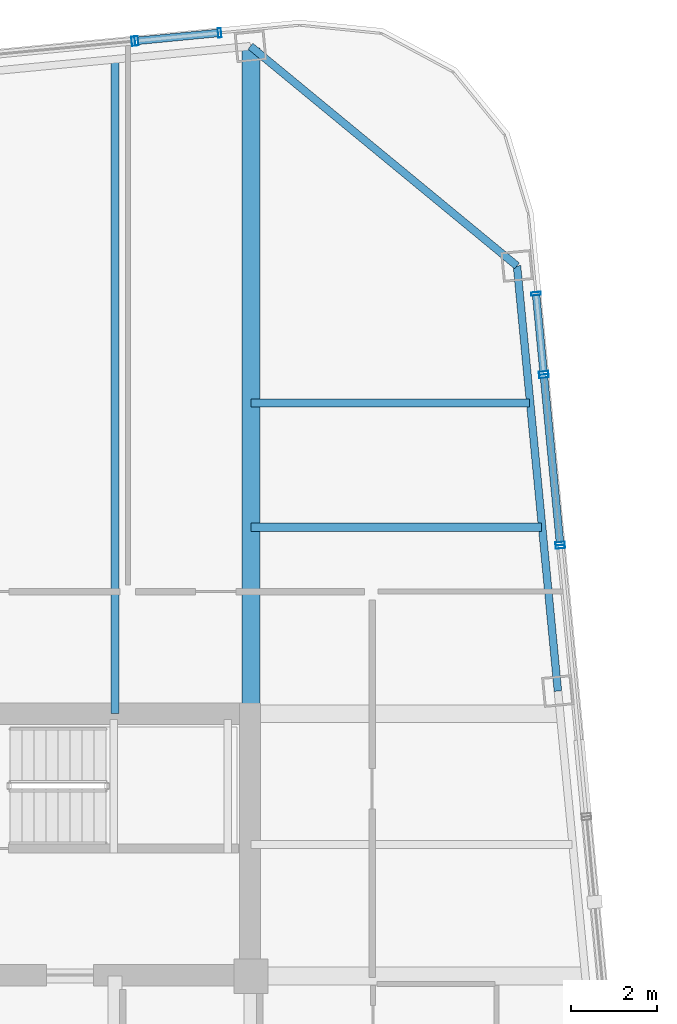
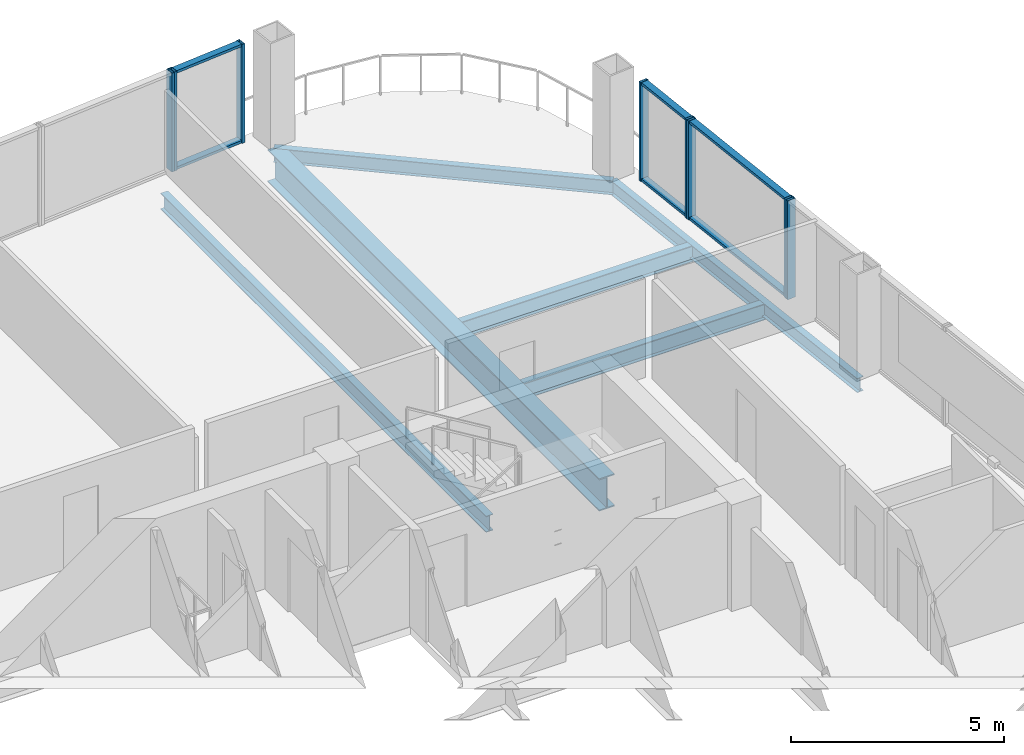
# One storey, part 15 of 22: 14 members, 6 beams, 5 elements without a shape of their own.
"""IFC4 building model written with IfcOpenShell, lengths in metres."""

from ifc_helpers import new_model, si_unit, direction, frame, origin, origin_2d, place, context, subcontext, project, spatial, hollow_rectangle, i_section, extrude, material, layer, layer_set, material_profile, profile_set, type_object, element, aggregate, save


model = new_model("IFC4")

# Units and contexts
model_context = context("Model", 3, precision=1e-05, world=origin(), true_north=direction((0.0, 1.0)))
body_context = subcontext(model_context, "Body", "Model", "MODEL_VIEW")
ifc_project = project(units=[si_unit("LENGTHUNIT", "METRE"), si_unit("AREAUNIT", "SQUARE_METRE"), si_unit("VOLUMEUNIT", "CUBIC_METRE"), si_unit("PLANEANGLEUNIT", "RADIAN"), si_unit("MASSUNIT", "GRAM", prefix="KILO")], contexts=[model_context])

# Site, building, storey
site_placement = place(None, origin())
site = spatial("IfcSite", under=ifc_project, at=site_placement, CompositionType="ELEMENT")
building_placement = place(site_placement, origin())
building = spatial("IfcBuilding", under=site, at=building_placement, Name="Qhalaya Broadcast Tower", CompositionType="ELEMENT")
storey_placement = place(building_placement, frame((0.0, 0.0, 174.449951171875)))
storey = spatial("IfcBuildingStorey", under=building, at=storey_placement, Name="L51", CompositionType="ELEMENT", Elevation=174.449951171875)

# Beams
ifc_material_1 = material(Name="Structural Steel ASTM A992 Grade 50", Category="steel")
ifc_material_profile_1 = material_profile(ifc_material_1, i_section(OverallWidth=0.19189453125, OverallDepth=0.462890625, WebThickness=0.010498046875, FlangeThickness=0.017578125, at=origin_2d()), Name="W18X60")
ifc_profile_set_1 = profile_set([ifc_material_profile_1], Name="Structural Steel ASTM A992 Grade 50")
beam_type_1 = type_object("IfcBeamType", Name="Composite Floor Joist J03", PredefinedType="JOIST", material=ifc_profile_set_1)
beam_1_placement = place(storey_placement, frame((6.199951171875, 9.949951171875, -0.451416015625), z_axis=(0.0, 1.0, 0.0), x_axis=(-1.0, 0.0, 0.0)))
element("IfcBeam", 1, at=beam_1_placement, inside=storey, type_object=beam_type_1, Name="L51 J03 L51-JNN5-1", PredefinedType="JOIST", context=body_context, shape_type="SweptSolid", body=[
    extrude(i_section(OverallWidth=0.19189453125, OverallDepth=0.462890625, WebThickness=0.010498046875, FlangeThickness=0.017578125, at=origin_2d()), origin(), (0.0, 0.0, 1.0), 15.25341796875),
])
beam_2_placement = place(storey_placement, frame((9.375, 14.300048828125, -0.451416015625), z_axis=(1.0, 0.0, 0.0), x_axis=(0.0, 1.0, 0.0)))
element("IfcBeam", 2, at=beam_2_placement, inside=storey, type_object=beam_type_1, Name="L51 J03 L51-JWE6E-1", PredefinedType="JOIST", context=body_context, shape_type="SweptSolid", body=[
    extrude(i_section(OverallWidth=0.19189453125, OverallDepth=0.462890625, WebThickness=0.010498046875, FlangeThickness=0.017578125, at=origin_2d()), origin(), (0.0, 0.0, 1.0), 6.7744140625),
])
beam_3_placement = place(storey_placement, frame((9.375, 17.199951171875, -0.451416015625), z_axis=(1.0, 0.0, 0.0), x_axis=(0.0, 1.0, 0.0)))
element("IfcBeam", 3, at=beam_3_placement, inside=storey, type_object=beam_type_1, Name="L51 J03 L51-JWE7E-1", PredefinedType="JOIST", context=body_context, shape_type="SweptSolid", body=[
    extrude(i_section(OverallWidth=0.19189453125, OverallDepth=0.462890625, WebThickness=0.010498046875, FlangeThickness=0.017578125, at=origin_2d()), origin(), (0.0, 0.0, 1.0), 6.4951171875),
])
ifc_material_profile_2 = material_profile(ifc_material_1, i_section(OverallWidth=0.4189453125, OverallDepth=0.927001953125, WebThickness=0.019287109375, FlangeThickness=0.031982421875, at=origin_2d()), Name="W36X231")
ifc_profile_set_2 = profile_set([ifc_material_profile_2], Name="Structural Steel ASTM A992 Grade 50")
beam_type_2 = type_object("IfcBeamType", Name="Mid Block Primary Girder PG3", PredefinedType="USERDEFINED", material=ifc_profile_set_2)
beam_4_placement = place(storey_placement, frame((9.375, 9.949951171875, -0.683349609375), z_axis=(0.0, 1.0, 0.0), x_axis=(-1.0, 0.0, 0.0)))
element("IfcBeam", 4, at=beam_4_placement, inside=storey, type_object=beam_type_2, Name="L51 PG3 L51-PGXN2-1", ObjectType="GIRDER", PredefinedType="USERDEFINED", context=body_context, shape_type="SweptSolid", body=[
    extrude(i_section(OverallWidth=0.4189453125, OverallDepth=0.927001953125, WebThickness=0.019287109375, FlangeThickness=0.031982421875, at=origin_2d()), origin(), (0.0, 0.0, 1.0), 15.541259765625),
])

# Curtain wall, member
ifc_material_2 = material(Name="Fired Architectural Terracotta", Category="masonry")
ifc_layer_1 = layer(ifc_material_2, 0.219970703125, Name="Fired Architectural Terracotta")
ifc_layer_set_1 = layer_set([ifc_layer_1], Name="Fired Architectural Terracotta")
curtain_wall_type_1 = type_object("IfcCurtainWallType", Name="Block-Cap Unitised Terracotta Spandrel Wall CW-07", PredefinedType="NOTDEFINED", material=ifc_layer_set_1)
curtain_wall_1_placement = place(storey_placement, origin())
curtain_wall_1 = element("IfcCurtainWall", 5, at=curtain_wall_1_placement, inside=storey, type_object=curtain_wall_type_1, Name="L51 Unitised Curtain Wall L51-CW-E5", PredefinedType="NOTDEFINED")
ifc_material_3 = material(Name="Anodised Aluminium 6063-T6", Category="aluminium")
ifc_material_profile_3 = material_profile(ifc_material_3, hollow_rectangle(XDim=0.074951171875, YDim=0.219970703125, WallThickness=0.00390625, at=origin_2d()), Name="ALU-MUL 75x220x4")
ifc_profile_set_3 = profile_set([ifc_material_profile_3], Name="Anodised Aluminium 6063-T6")
member_type_1 = type_object("IfcMemberType", Name="Unitised Curtain-Wall Mullion M01", PredefinedType="MULLION", material=ifc_profile_set_3)
member_1_placement = place(storey_placement, frame((16.594970703125, 13.845703125, 0.0), z_axis=(0.0, 0.0, 1.0), x_axis=(-0.095853708125, 0.995395432297, 0.0)))
member_1 = element("IfcMember", 6, at=member_1_placement, type_object=member_type_1, Name="CW-07 mullion 2", PredefinedType="MULLION", context=body_context, shape_type="SweptSolid", body=[
    extrude(hollow_rectangle(XDim=0.074951171875, YDim=0.219970703125, WallThickness=0.00390625, at=origin_2d()), origin(), (0.0, 0.0, 1.0), 2.830078125),
])
aggregate(curtain_wall_1, [member_1])

# Curtain wall, members
ifc_material_4 = material(Name="Solar-Control Low-E Triple Glazing", Category="glass")
ifc_layer_2 = layer(ifc_material_4, 0.219970703125, Name="Solar-Control Low-E Triple Glazing")
ifc_layer_set_2 = layer_set([ifc_layer_2], Name="Solar-Control Low-E Triple Glazing")
curtain_wall_type_2 = type_object("IfcCurtainWallType", Name="Even-Block 4-Storey Double-Module Curtain Wall CW-03", PredefinedType="NOTDEFINED", material=ifc_layer_set_2)
curtain_wall_2_placement = place(storey_placement, origin())
curtain_wall_2 = element("IfcCurtainWall", 7, at=curtain_wall_2_placement, inside=storey, type_object=curtain_wall_type_2, Name="L51 Unitised Curtain Wall L51-CW-E6", PredefinedType="NOTDEFINED")
member_2_placement = place(storey_placement, frame((16.587646484375, 13.92041015625, 0.0), z_axis=(0.0, 0.0, 1.0), x_axis=(-0.095825752198, 0.995398123976, 0.0)))
member_2 = element("IfcMember", 8, at=member_2_placement, type_object=member_type_1, Name="CW-03 mullion 1", PredefinedType="MULLION", context=body_context, shape_type="SweptSolid", body=[
    extrude(hollow_rectangle(XDim=0.074951171875, YDim=0.219970703125, WallThickness=0.00390625, at=origin_2d()), origin(), (0.0, 0.0, 1.0), 2.830078125),
])
member_3_placement = place(storey_placement, frame((16.21142578125, 17.828369140625, 0.0), z_axis=(0.0, 0.0, 1.0), x_axis=(-0.095825752198, 0.995398123976, 0.0)))
member_3 = element("IfcMember", 9, at=member_3_placement, type_object=member_type_1, Name="CW-03 mullion 2", PredefinedType="MULLION", context=body_context, shape_type="SweptSolid", body=[
    extrude(hollow_rectangle(XDim=0.074951171875, YDim=0.219970703125, WallThickness=0.00390625, at=origin_2d()), origin(), (0.0, 0.0, 1.0), 2.830078125),
])

curtain_wall_3_placement = place(storey_placement, origin())
curtain_wall_3 = element("IfcCurtainWall", 10, at=curtain_wall_3_placement, inside=storey, type_object=curtain_wall_type_1, Name="L51 Unitised Curtain Wall L51-CW-E7", PredefinedType="NOTDEFINED")
member_4_placement = place(storey_placement, frame((16.204345703125, 17.903076171875, 0.0), z_axis=(0.0, 0.0, 1.0), x_axis=(-0.095861254071, 0.995394705616, 0.0)))
member_4 = element("IfcMember", 11, at=member_4_placement, type_object=member_type_1, Name="CW-07 mullion 1", PredefinedType="MULLION", context=body_context, shape_type="SweptSolid", body=[
    extrude(hollow_rectangle(XDim=0.074951171875, YDim=0.219970703125, WallThickness=0.00390625, at=origin_2d()), origin(), (0.0, 0.0, 1.0), 2.830078125),
])
member_5_placement = place(storey_placement, frame((16.026123046875, 19.75244140625, 0.0), z_axis=(0.0, 0.0, 1.0), x_axis=(-0.095861254071, 0.995394705616, 0.0)))
member_5 = element("IfcMember", 12, at=member_5_placement, type_object=member_type_1, Name="CW-07 mullion 2", PredefinedType="MULLION", context=body_context, shape_type="SweptSolid", body=[
    extrude(hollow_rectangle(XDim=0.074951171875, YDim=0.219970703125, WallThickness=0.00390625, at=origin_2d()), origin(), (0.0, 0.0, 1.0), 2.830078125),
])

curtain_wall_4_placement = place(storey_placement, origin())
curtain_wall_4 = element("IfcCurtainWall", 13, at=curtain_wall_4_placement, inside=storey, type_object=curtain_wall_type_1, Name="L51 Unitised Curtain Wall L51-CW-N1", PredefinedType="NOTDEFINED")
member_6_placement = place(storey_placement, frame((8.64111328125, 25.840087890625, 0.0), z_axis=(0.0, 0.0, 1.0), x_axis=(-0.995396068977, -0.095847096282, 0.0)))
member_6 = element("IfcMember", 14, at=member_6_placement, type_object=member_type_1, Name="CW-07 mullion 1", PredefinedType="MULLION", context=body_context, shape_type="SweptSolid", body=[
    extrude(hollow_rectangle(XDim=0.074951171875, YDim=0.219970703125, WallThickness=0.00390625, at=origin_2d()), origin(), (0.0, 0.0, 1.0), 2.830078125),
])
member_7_placement = place(storey_placement, frame((6.7021484375, 25.653564453125, 0.0), z_axis=(0.0, 0.0, 1.0), x_axis=(-0.995396068977, -0.095847096282, 0.0)))
member_7 = element("IfcMember", 15, at=member_7_placement, type_object=member_type_1, Name="CW-07 mullion 2", PredefinedType="MULLION", context=body_context, shape_type="SweptSolid", body=[
    extrude(hollow_rectangle(XDim=0.074951171875, YDim=0.219970703125, WallThickness=0.00390625, at=origin_2d()), origin(), (0.0, 0.0, 1.0), 2.830078125),
])

# Curtain wall, member
curtain_wall_5_placement = place(storey_placement, origin())
curtain_wall_5 = element("IfcCurtainWall", 16, at=curtain_wall_5_placement, inside=storey, type_object=curtain_wall_type_2, Name="L51 Unitised Curtain Wall L51-CW-N2", PredefinedType="NOTDEFINED")
member_8_placement = place(storey_placement, frame((6.62744140625, 25.646240234375, 0.0), z_axis=(0.0, 0.0, 1.0), x_axis=(-0.995396841683, -0.095839071198, 0.0)))
member_8 = element("IfcMember", 17, at=member_8_placement, type_object=member_type_1, Name="CW-03 mullion 1", PredefinedType="MULLION", context=body_context, shape_type="SweptSolid", body=[
    extrude(hollow_rectangle(XDim=0.074951171875, YDim=0.219970703125, WallThickness=0.00390625, at=origin_2d()), origin(), (0.0, 0.0, 1.0), 2.830078125),
])
aggregate(curtain_wall_5, [member_8])

# Member
ifc_material_profile_4 = material_profile(ifc_material_3, hollow_rectangle(XDim=0.074951171875, YDim=0.179931640625, WallThickness=0.00390625, at=origin_2d()), Name="ALU-TRN 75x180x4")
ifc_profile_set_4 = profile_set([ifc_material_profile_4], Name="Anodised Aluminium 6063-T6")
member_type_2 = type_object("IfcMemberType", Name="Unitised Curtain-Wall Transom T01", PredefinedType="USERDEFINED", material=ifc_profile_set_4)
member_9_placement = place(storey_placement, frame((16.584228515625, 13.957763671875, 0.03759765625), z_axis=(-0.09585615801, 0.995395196378, 0.0), x_axis=(0.0, 0.0, 1.0)))
member_9 = element("IfcMember", 18, at=member_9_placement, type_object=member_type_2, Name="CW-03 transom 1.1", ObjectType="TRANSOM", PredefinedType="USERDEFINED", context=body_context, shape_type="SweptSolid", body=[
    extrude(hollow_rectangle(XDim=0.074951171875, YDim=0.179931640625, WallThickness=0.00390625, at=origin_2d()), origin(), (0.0, 0.0, 1.0), 3.85107421875),
])

member_10_placement = place(storey_placement, frame((16.584228515625, 13.957763671875, 2.79248046875), z_axis=(-0.09585615801, 0.995395196378, 0.0), x_axis=(0.0, 0.0, 1.0)))
member_10 = element("IfcMember", 19, at=member_10_placement, type_object=member_type_2, Name="CW-03 transom 1.2", ObjectType="TRANSOM", PredefinedType="USERDEFINED", context=body_context, shape_type="SweptSolid", body=[
    extrude(hollow_rectangle(XDim=0.074951171875, YDim=0.179931640625, WallThickness=0.00390625, at=origin_2d()), origin(), (0.0, 0.0, 1.0), 3.85107421875),
])

aggregate(curtain_wall_2, [member_2, member_3, member_9, member_10])

member_11_placement = place(storey_placement, frame((16.20068359375, 17.9404296875, 0.03759765625), z_axis=(-0.095855916051, 0.995395219678, 0.0), x_axis=(0.0, 0.0, 1.0)))
member_11 = element("IfcMember", 20, at=member_11_placement, type_object=member_type_2, Name="CW-07 transom 1.1", ObjectType="TRANSOM", PredefinedType="USERDEFINED", context=body_context, shape_type="SweptSolid", body=[
    extrude(hollow_rectangle(XDim=0.074951171875, YDim=0.179931640625, WallThickness=0.00390625, at=origin_2d()), origin(), (0.0, 0.0, 1.0), 1.782958984375),
])

member_12_placement = place(storey_placement, frame((16.20068359375, 17.9404296875, 2.79248046875), z_axis=(-0.095855916051, 0.995395219678, 0.0), x_axis=(0.0, 0.0, 1.0)))
member_12 = element("IfcMember", 21, at=member_12_placement, type_object=member_type_2, Name="CW-07 transom 1.2", ObjectType="TRANSOM", PredefinedType="USERDEFINED", context=body_context, shape_type="SweptSolid", body=[
    extrude(hollow_rectangle(XDim=0.074951171875, YDim=0.179931640625, WallThickness=0.00390625, at=origin_2d()), origin(), (0.0, 0.0, 1.0), 1.782958984375),
])

aggregate(curtain_wall_3, [member_4, member_5, member_11, member_12])

member_13_placement = place(storey_placement, frame((8.603759765625, 25.836669921875, 0.03759765625), z_axis=(-0.995387030326, -0.095940918586, 0.0), x_axis=(0.0, 0.0, 1.0)))
member_13 = element("IfcMember", 22, at=member_13_placement, type_object=member_type_2, Name="CW-07 transom 1.1", ObjectType="TRANSOM", PredefinedType="USERDEFINED", context=body_context, shape_type="SweptSolid", body=[
    extrude(hollow_rectangle(XDim=0.074951171875, YDim=0.179931640625, WallThickness=0.00390625, at=origin_2d()), origin(), (0.0, 0.0, 1.0), 1.872802734375),
])

member_14_placement = place(storey_placement, frame((8.603759765625, 25.836669921875, 2.79248046875), z_axis=(-0.995387030326, -0.095940918586, 0.0), x_axis=(0.0, 0.0, 1.0)))
member_14 = element("IfcMember", 23, at=member_14_placement, type_object=member_type_2, Name="CW-07 transom 1.2", ObjectType="TRANSOM", PredefinedType="USERDEFINED", context=body_context, shape_type="SweptSolid", body=[
    extrude(hollow_rectangle(XDim=0.074951171875, YDim=0.179931640625, WallThickness=0.00390625, at=origin_2d()), origin(), (0.0, 0.0, 1.0), 1.872802734375),
])

aggregate(curtain_wall_4, [member_6, member_7, member_13, member_14])

# Beams
ifc_material_profile_5 = material_profile(ifc_material_1, i_section(OverallWidth=0.177978515625, OverallDepth=0.406005859375, WebThickness=0.0078125, FlangeThickness=0.0126953125, at=origin_2d()), Name="W16X40")
ifc_profile_set_5 = profile_set([ifc_material_profile_5], Name="Structural Steel ASTM A992 Grade 50")
beam_type_3 = type_object("IfcBeamType", Name="Upper Perimeter Spandrel Beam SP2", PredefinedType="SPANDREL", material=ifc_profile_set_5)
beam_5_placement = place(storey_placement, frame((16.537353515625, 10.4794921875, -0.4228515625), z_axis=(-0.095850563819, 0.99539573508, 0.0), x_axis=(-0.99539573508, -0.095850563819, 0.0)))
element("IfcBeam", 24, at=beam_5_placement, inside=storey, type_object=beam_type_3, Name="L51 SP2 L51-SPR-07", PredefinedType="SPANDREL", context=body_context, shape_type="SweptSolid", body=[
    extrude(i_section(OverallWidth=0.177978515625, OverallDepth=0.406005859375, WebThickness=0.0078125, FlangeThickness=0.0126953125, at=origin_2d()), origin(), (0.0, 0.0, 1.0), 9.966796875),
])
beam_6_placement = place(storey_placement, frame((15.58203125, 20.400390625, -0.4228515625), z_axis=(-0.771618906354, 0.636085107008, 0.0), x_axis=(-0.636085107008, -0.771618906354, 0.0)))
element("IfcBeam", 25, at=beam_6_placement, inside=storey, type_object=beam_type_3, Name="L51 SP2 L51-SPR-08", PredefinedType="SPANDREL", context=body_context, shape_type="SweptSolid", body=[
    extrude(i_section(OverallWidth=0.177978515625, OverallDepth=0.406005859375, WebThickness=0.0078125, FlangeThickness=0.0126953125, at=origin_2d()), origin(), (0.0, 0.0, 1.0), 8.06103515625),
])

save(model, "model.ifc")
